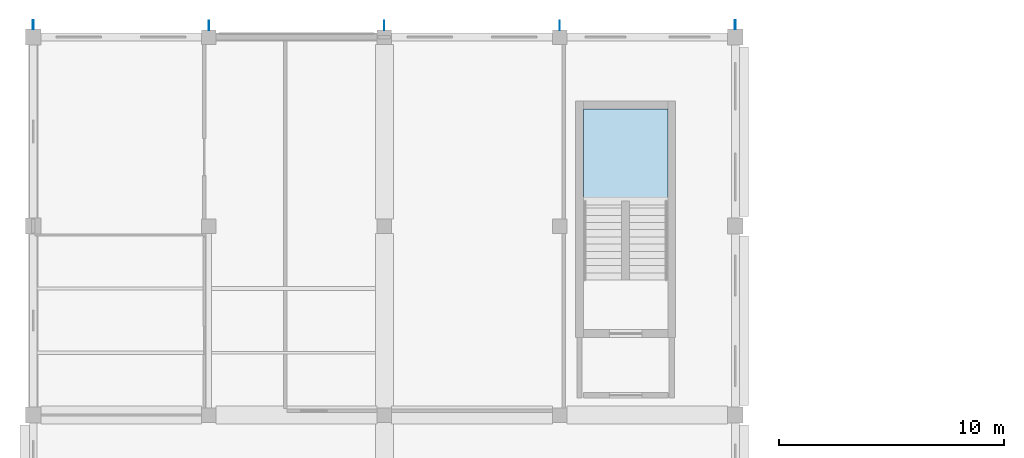
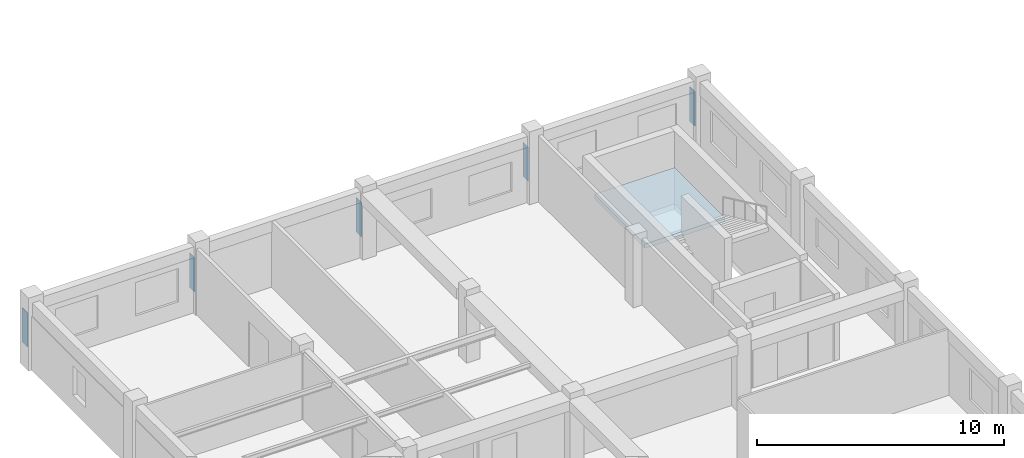
# One storey, part 30 of 49: 5 plates, 1 slab, 1 element without a shape of its own.
"""IFC4 building model written with IfcOpenShell, lengths in metres."""

from ifc_helpers import new_model, si_unit, direction, frame, origin, origin_2d, place, context, subcontext, project, spatial, polyline, rectangle, outline, extrude, material, layer, layer_set, type_object, element, aggregate, save


model = new_model("IFC4")

# Units and contexts
model_context = context("Model", 3, precision=1e-05, world=origin(), true_north=direction((0.0, 1.0)))
body_context = subcontext(model_context, "Body", "Model", "MODEL_VIEW")
ifc_project = project(units=[si_unit("LENGTHUNIT", "METRE"), si_unit("AREAUNIT", "SQUARE_METRE"), si_unit("VOLUMEUNIT", "CUBIC_METRE"), si_unit("PLANEANGLEUNIT", "RADIAN"), si_unit("MASSUNIT", "GRAM", prefix="KILO"), si_unit("THERMODYNAMICTEMPERATUREUNIT", "KELVIN"), si_unit("POWERUNIT", "WATT")], contexts=[model_context])

# Site, building, storey
site_placement = place(None, origin())
site = spatial("IfcSite", under=ifc_project, at=site_placement, CompositionType="ELEMENT")
building_placement = place(site_placement, origin())
building = spatial("IfcBuilding", under=site, at=building_placement, Name="Srebrne Nadtorze General Hospital", CompositionType="ELEMENT")
storey_placement = place(building_placement, frame((0.0, 0.0, 26.10009765625)))
storey = spatial("IfcBuildingStorey", under=building, at=storey_placement, Name="L06", CompositionType="ELEMENT", Elevation=26.10009765625)

# Stair, slab
ifc_material_1 = material(Name="Concrete C35/45", Category="concrete")
stair_type = type_object("IfcStairType", Name="Dog-leg escape stair 360", PredefinedType="HALF_TURN_STAIR", material=ifc_material_1)
stair_placement = place(storey_placement, origin())
stair = element("IfcStair", 1, at=stair_placement, inside=storey, type_object=stair_type, Name="Escape stair ST-02-L06", PredefinedType="HALF_TURN_STAIR")
ifc_material_2 = material(Name="Concrete C35/45", Category="concrete")
ifc_layer_1 = layer(ifc_material_2, 0.219970703125)
ifc_layer_set_1 = layer_set([ifc_layer_1], Name="Concrete C35/45")
slab_type = type_object("IfcSlabType", Name="Stair landing slab 220", PredefinedType="LANDING", material=ifc_layer_set_1)
slab_placement = place(storey_placement, frame((0.0, 0.0, 1.579833984375)))
slab = element("IfcSlab", 2, at=slab_placement, type_object=slab_type, Name="ST-02 landing 1", PredefinedType="LANDING", context=body_context, shape_type="SweptSolid", body=[
    extrude(outline(polyline([(47.85009765625, 85.1201171875), (51.60009765625, 85.1201171875), (51.60009765625, 89.199951171875), (47.85009765625, 89.199951171875), (47.85009765625, 85.1201171875)])), origin(), (0.0, 0.0, 1.0), 0.219970703125),
])
aggregate(stair, [slab])

# Plates
ifc_material_3 = material(Name="Steel S355J2", Category="steel")
ifc_layer_2 = layer(ifc_material_3, 0.011962890625)
ifc_layer_set_2 = layer_set([ifc_layer_2], Name="Steel S355J2")
plate_type_1 = type_object("IfcPlateType", Name="Steel bearing plate 12", PredefinedType="SHEET", material=ifc_layer_set_2)
plate_1_placement = place(storey_placement, frame((46.800048828125, 92.925048828125, 0.64990234375), z_axis=(0.0, 0.0, 1.0), x_axis=(1.0, 0.0, 0.0)))
element("IfcPlate", 3, at=plate_1_placement, inside=storey, type_object=plate_type_1, Name="Steel connection gusset plate 20", PredefinedType="SHEET", context=body_context, shape_type="SweptSolid", body=[
    extrude(rectangle(XDim=0.011962890625, YDim=0.419921875, at=origin_2d()), origin(), (0.0, 0.0, 1.0), 1.699951171875),
])
ifc_material_4 = material(Name="Steel S355J2", Category="steel")
ifc_layer_3 = layer(ifc_material_4, 0.02490234375)
ifc_layer_set_3 = layer_set([ifc_layer_3], Name="Steel S355J2")
plate_type_2 = type_object("IfcPlateType", Name="Steel gusset plate 25", PredefinedType="SHEET", material=ifc_layer_set_3)
plate_2_placement = place(storey_placement, frame((31.199951171875, 92.925048828125, 0.64990234375), z_axis=(0.0, 0.0, 1.0), x_axis=(1.0, 0.0, 0.0)))
element("IfcPlate", 4, at=plate_2_placement, inside=storey, type_object=plate_type_2, Name="Steel connection gusset plate 18", PredefinedType="SHEET", context=body_context, shape_type="SweptSolid", body=[
    extrude(rectangle(XDim=0.02490234375, YDim=0.419921875, at=origin_2d()), origin(), (0.0, 0.0, 1.0), 1.699951171875),
])
ifc_material_5 = material(Name="Steel S355J2", Category="steel")
ifc_layer_4 = layer(ifc_material_5, 0.031982421875)
ifc_layer_set_4 = layer_set([ifc_layer_4], Name="Steel S355J2")
plate_type_3 = type_object("IfcPlateType", Name="Steel gusset plate 32", PredefinedType="SHEET", material=ifc_layer_set_4)
plate_3_placement = place(storey_placement, frame((23.39990234375, 92.949951171875, 0.64990234375), z_axis=(0.0, 0.0, 1.0), x_axis=(1.0, 0.0, 0.0)))
element("IfcPlate", 5, at=plate_3_placement, inside=storey, type_object=plate_type_3, Name="Steel connection gusset plate 17", PredefinedType="SHEET", context=body_context, shape_type="SweptSolid", body=[
    extrude(rectangle(XDim=0.031982421875, YDim=0.419921875, at=origin_2d()), origin(), (0.0, 0.0, 1.0), 1.699951171875),
])
ifc_material_6 = material(Name="Steel S355J2", Category="steel")
ifc_layer_5 = layer(ifc_material_6, 0.0400390625)
ifc_layer_set_5 = layer_set([ifc_layer_5], Name="Steel S355J2")
plate_type_4 = type_object("IfcPlateType", Name="Steel gusset plate 40", PredefinedType="SHEET", material=ifc_layer_set_5)
plate_4_placement = place(storey_placement, frame((54.60009765625, 92.949951171875, 0.64990234375), z_axis=(0.0, 0.0, 1.0), x_axis=(1.0, 0.0, 0.0)))
element("IfcPlate", 6, at=plate_4_placement, inside=storey, type_object=plate_type_4, Name="Steel connection gusset plate 21", PredefinedType="SHEET", context=body_context, shape_type="SweptSolid", body=[
    extrude(rectangle(XDim=0.0400390625, YDim=0.419921875, at=origin_2d()), origin(), (0.0, 0.0, 1.0), 1.699951171875),
])
ifc_material_7 = material(Name="Steel S355J2", Category="steel")
ifc_layer_6 = layer(ifc_material_7, 0.01806640625)
ifc_layer_set_6 = layer_set([ifc_layer_6], Name="Steel S355J2")
plate_type_5 = type_object("IfcPlateType", Name="Steel stiffener plate 18", PredefinedType="SHEET", material=ifc_layer_set_6)
plate_5_placement = place(storey_placement, frame((39.0, 92.925048828125, 0.64990234375), z_axis=(0.0, 0.0, 1.0), x_axis=(1.0, 0.0, 0.0)))
element("IfcPlate", 7, at=plate_5_placement, inside=storey, type_object=plate_type_5, Name="Steel connection gusset plate 19", PredefinedType="SHEET", context=body_context, shape_type="SweptSolid", body=[
    extrude(rectangle(XDim=0.01806640625, YDim=0.419921875, at=origin_2d()), origin(), (0.0, 0.0, 1.0), 1.699951171875),
])

save(model, "model.ifc")
